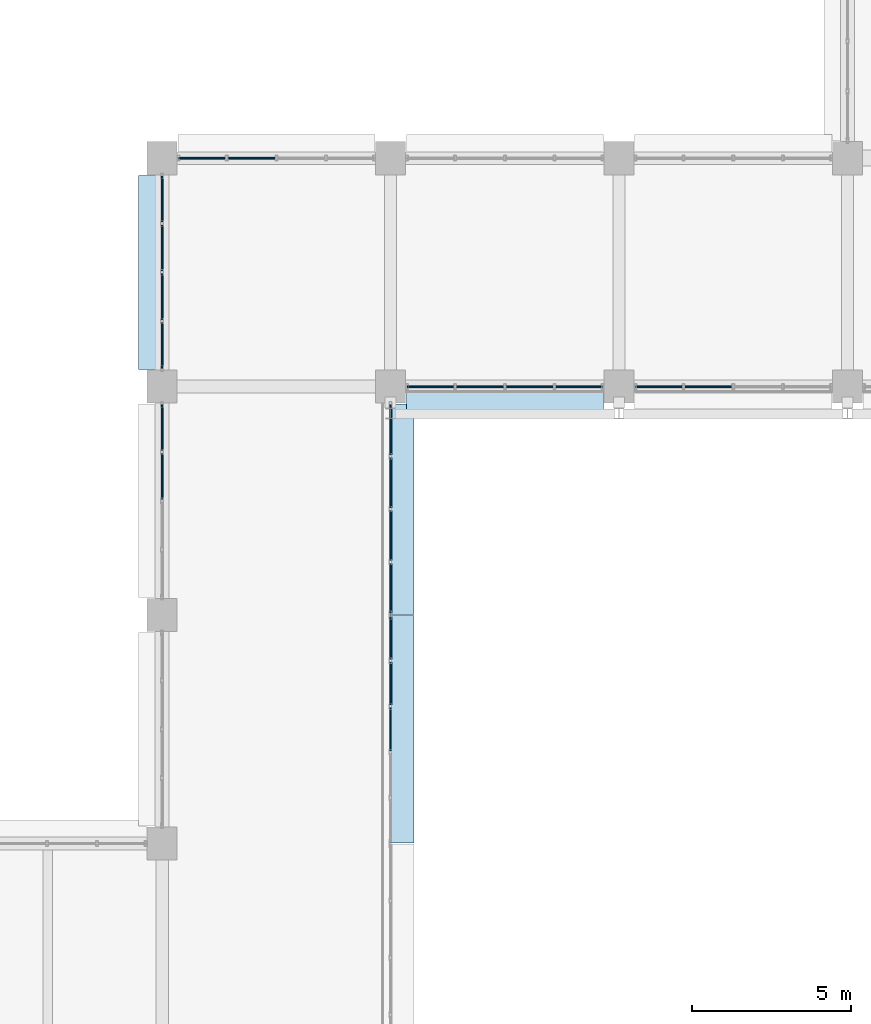
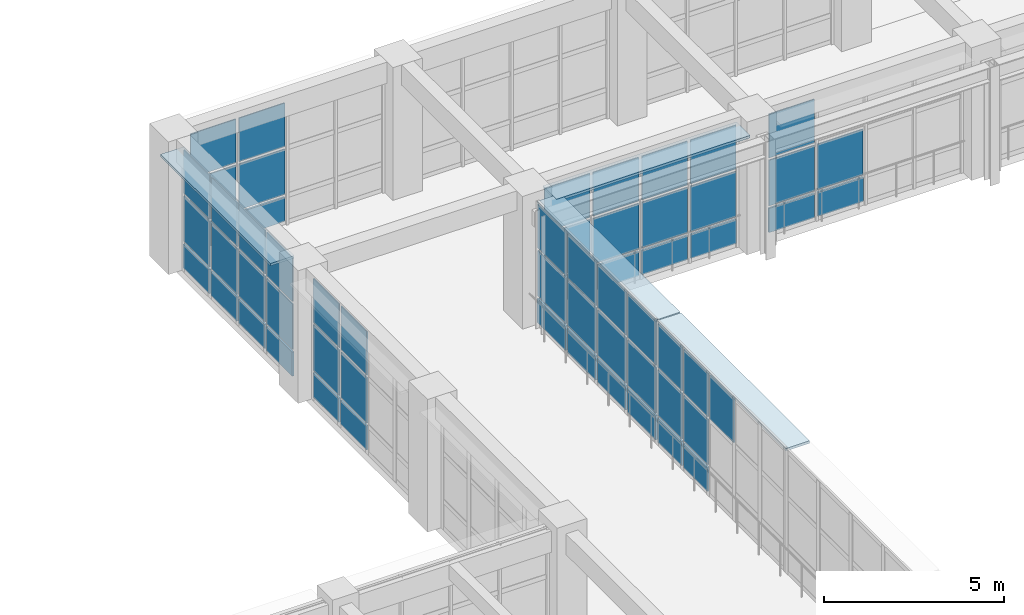
# One storey, part 127 of 171: 64 plates, 7 elements without a shape of their own.
"""IFC4 building model written with IfcOpenShell, lengths in metres."""

from ifc_helpers import new_model, si_unit, direction, frame, origin, origin_2d, place, context, subcontext, project, spatial, rectangle, extrude, material, layer, layer_set, type_object, element, aggregate, save


model = new_model("IFC4")

# Units and contexts
model_context = context("Model", 3, precision=1e-05, world=origin(), true_north=direction((0.0, 1.0)))
body_context = subcontext(model_context, "Body", "Model", "MODEL_VIEW")
ifc_project = project(units=[si_unit("LENGTHUNIT", "METRE"), si_unit("AREAUNIT", "SQUARE_METRE"), si_unit("VOLUMEUNIT", "CUBIC_METRE"), si_unit("PLANEANGLEUNIT", "RADIAN"), si_unit("MASSUNIT", "GRAM", prefix="KILO")], contexts=[model_context])

# Site, building, storey
site_placement = place(None, origin())
site = spatial("IfcSite", under=ifc_project, at=site_placement, CompositionType="ELEMENT")
building_placement = place(site_placement, origin())
building = spatial("IfcBuilding", under=site, at=building_placement, Name="Thalmaran Polytechnic", CompositionType="ELEMENT")
storey_placement = place(building_placement, frame((0.0, 0.0, 5.39990234375)))
storey = spatial("IfcBuildingStorey", under=building, at=storey_placement, Name="L01", CompositionType="ELEMENT", Elevation=5.39990234375)

# Plates
ifc_material_1 = material(Name="Anodised aluminium sun-hood eyebrow", Category="aluminium")
ifc_layer_1 = layer(ifc_material_1, 0.0849609375, Name="Anodised aluminium sun-hood eyebrow")
ifc_layer_set_1 = layer_set([ifc_layer_1], Name="Anodised aluminium sun-hood eyebrow")
plate_type_1 = type_object("IfcPlateType", Name="PT-EB01", PredefinedType="SHEET", material=ifc_layer_set_1)
plate_1_placement = place(storey_placement, frame((118.800048828125, 50.0400390625, 4.107666015625), z_axis=(0.0, 0.0, 1.0), x_axis=(-1.0, 0.0, 0.0)))
element("IfcPlate", 1, at=plate_1_placement, inside=storey, type_object=plate_type_1, Name="Streamline Sun-Hood Eyebrow L01-CW104", PredefinedType="SHEET", context=body_context, shape_type="SweptSolid", body=[
    extrude(rectangle(XDim=6.2099609375, YDim=0.760009765625, at=origin_2d()), origin(), (0.0, 0.0, 1.0), 0.0849609375),
])
plate_2_placement = place(storey_placement, frame((115.56005859375, 46.53759765625, 4.107666015625), z_axis=(0.0, 0.0, 1.0), x_axis=(0.0, -1.0, 0.0)))
element("IfcPlate", 2, at=plate_2_placement, inside=storey, type_object=plate_type_1, Name="Streamline Sun-Hood Eyebrow L01-CW105", PredefinedType="SHEET", context=body_context, shape_type="SweptSolid", body=[
    extrude(rectangle(XDim=6.635009765625, YDim=0.760009765625, at=origin_2d()), origin(), (0.0, 0.0, 1.0), 0.0849609375),
])
plate_3_placement = place(storey_placement, frame((115.56005859375, 39.60009765625, 4.107666015625), z_axis=(0.0, 0.0, 1.0), x_axis=(0.0, -1.0, 0.0)))
element("IfcPlate", 3, at=plate_3_placement, inside=storey, type_object=plate_type_1, Name="Streamline Sun-Hood Eyebrow L01-CW106", PredefinedType="SHEET", context=body_context, shape_type="SweptSolid", body=[
    extrude(rectangle(XDim=7.159912109375, YDim=0.760009765625, at=origin_2d()), origin(), (0.0, 0.0, 1.0), 0.0849609375),
])
plate_4_placement = place(storey_placement, frame((107.639892578125, 54.0, 4.107666015625), z_axis=(0.0, 0.0, 1.0), x_axis=(0.0, 1.0, 0.0)))
element("IfcPlate", 4, at=plate_4_placement, inside=storey, type_object=plate_type_1, Name="Streamline Sun-Hood Eyebrow L01-CW176", PredefinedType="SHEET", context=body_context, shape_type="SweptSolid", body=[
    extrude(rectangle(XDim=6.110107421875, YDim=0.760009765625, at=origin_2d()), origin(), (0.0, 0.0, 1.0), 0.0849609375),
])

# Curtain wall, plates
ifc_material_2 = material(Name="Aluminium 6063-T6", Category="aluminium")
curtain_wall_type = type_object("IfcCurtainWallType", Name="CW-UC02", PredefinedType="USERDEFINED", material=ifc_material_2)
curtain_wall_1_placement = place(storey_placement, origin())
curtain_wall_1 = element("IfcCurtainWall", 5, at=curtain_wall_1_placement, inside=storey, type_object=curtain_wall_type, Name="Curtain Wall CW-L01-105", ObjectType="UNITISED CURTAIN WALL", PredefinedType="USERDEFINED")
ifc_material_3 = material(Name="Solar-control double low-E glass", Category="glass")
ifc_layer_2 = layer(ifc_material_3, 0.035888671875, Name="Solar-control double low-E glass")
ifc_layer_set_2 = layer_set([ifc_layer_2], Name="Solar-control double low-E glass")
plate_type_2 = type_object("IfcPlateType", Name="PT-GL01", PredefinedType="CURTAIN_PANEL", material=ifc_layer_set_2)
plate_5_placement = place(storey_placement, frame((115.199951171875, 49.04052734375, 1.000244140625), z_axis=(0.0, 0.0, 1.0), x_axis=(0.0, -1.0, 0.0)))
plate_5 = element("IfcPlate", 6, at=plate_5_placement, type_object=plate_type_2, Name="CW-L01-105 Vision Panel 1-2", PredefinedType="CURTAIN_PANEL", context=body_context, shape_type="SweptSolid", body=[
    extrude(rectangle(XDim=1.568603515625, YDim=0.035888671875, at=origin_2d()), origin(), (0.0, 0.0, 1.0), 1.544921875),
])
plate_6_placement = place(storey_placement, frame((115.199951171875, 49.04052734375, 2.625), z_axis=(0.0, 0.0, 1.0), x_axis=(0.0, -1.0, 0.0)))
plate_6 = element("IfcPlate", 7, at=plate_6_placement, type_object=plate_type_2, Name="CW-L01-105 Vision Panel 1-3", PredefinedType="CURTAIN_PANEL", context=body_context, shape_type="SweptSolid", body=[
    extrude(rectangle(XDim=1.568603515625, YDim=0.035888671875, at=origin_2d()), origin(), (0.0, 0.0, 1.0), 1.485107421875),
])
plate_7_placement = place(storey_placement, frame((115.199951171875, 47.371826171875, 1.000244140625), z_axis=(0.0, 0.0, 1.0), x_axis=(0.0, -1.0, 0.0)))
plate_7 = element("IfcPlate", 8, at=plate_7_placement, type_object=plate_type_2, Name="CW-L01-105 Vision Panel 2-2", PredefinedType="CURTAIN_PANEL", context=body_context, shape_type="SweptSolid", body=[
    extrude(rectangle(XDim=1.568603515625, YDim=0.035888671875, at=origin_2d()), origin(), (0.0, 0.0, 1.0), 1.544921875),
])
plate_8_placement = place(storey_placement, frame((115.199951171875, 47.371826171875, 2.625), z_axis=(0.0, 0.0, 1.0), x_axis=(0.0, -1.0, 0.0)))
plate_8 = element("IfcPlate", 9, at=plate_8_placement, type_object=plate_type_2, Name="CW-L01-105 Vision Panel 2-3", PredefinedType="CURTAIN_PANEL", context=body_context, shape_type="SweptSolid", body=[
    extrude(rectangle(XDim=1.568603515625, YDim=0.035888671875, at=origin_2d()), origin(), (0.0, 0.0, 1.0), 1.485107421875),
])
plate_9_placement = place(storey_placement, frame((115.199951171875, 45.703125, 1.000244140625), z_axis=(0.0, 0.0, 1.0), x_axis=(0.0, -1.0, 0.0)))
plate_9 = element("IfcPlate", 10, at=plate_9_placement, type_object=plate_type_2, Name="CW-L01-105 Vision Panel 3-2", PredefinedType="CURTAIN_PANEL", context=body_context, shape_type="SweptSolid", body=[
    extrude(rectangle(XDim=1.568603515625, YDim=0.035888671875, at=origin_2d()), origin(), (0.0, 0.0, 1.0), 1.544921875),
])
plate_10_placement = place(storey_placement, frame((115.199951171875, 45.703125, 2.625), z_axis=(0.0, 0.0, 1.0), x_axis=(0.0, -1.0, 0.0)))
plate_10 = element("IfcPlate", 11, at=plate_10_placement, type_object=plate_type_2, Name="CW-L01-105 Vision Panel 3-3", PredefinedType="CURTAIN_PANEL", context=body_context, shape_type="SweptSolid", body=[
    extrude(rectangle(XDim=1.568603515625, YDim=0.035888671875, at=origin_2d()), origin(), (0.0, 0.0, 1.0), 1.485107421875),
])
plate_11_placement = place(storey_placement, frame((115.199951171875, 44.034423828125, 1.000244140625), z_axis=(0.0, 0.0, 1.0), x_axis=(0.0, -1.0, 0.0)))
plate_11 = element("IfcPlate", 12, at=plate_11_placement, type_object=plate_type_2, Name="CW-L01-105 Vision Panel 4-2", PredefinedType="CURTAIN_PANEL", context=body_context, shape_type="SweptSolid", body=[
    extrude(rectangle(XDim=1.568603515625, YDim=0.035888671875, at=origin_2d()), origin(), (0.0, 0.0, 1.0), 1.544921875),
])
plate_12_placement = place(storey_placement, frame((115.199951171875, 44.034423828125, 2.625), z_axis=(0.0, 0.0, 1.0), x_axis=(0.0, -1.0, 0.0)))
plate_12 = element("IfcPlate", 13, at=plate_12_placement, type_object=plate_type_2, Name="CW-L01-105 Vision Panel 4-3", PredefinedType="CURTAIN_PANEL", context=body_context, shape_type="SweptSolid", body=[
    extrude(rectangle(XDim=1.568603515625, YDim=0.035888671875, at=origin_2d()), origin(), (0.0, 0.0, 1.0), 1.485107421875),
])

curtain_wall_2_placement = place(storey_placement, origin())
curtain_wall_2 = element("IfcCurtainWall", 14, at=curtain_wall_2_placement, inside=storey, type_object=curtain_wall_type, Name="Curtain Wall CW-L01-175", ObjectType="UNITISED CURTAIN WALL", PredefinedType="USERDEFINED")
plate_13_placement = place(storey_placement, frame((108.0, 47.56884765625, 1.000244140625), z_axis=(0.0, 0.0, 1.0), x_axis=(0.0, 1.0, 0.0)))
plate_13 = element("IfcPlate", 15, at=plate_13_placement, type_object=plate_type_2, Name="CW-L01-175 Vision Panel 3-2", PredefinedType="CURTAIN_PANEL", context=body_context, shape_type="SweptSolid", body=[
    extrude(rectangle(XDim=1.4375, YDim=0.035888671875, at=origin_2d()), origin(), (0.0, 0.0, 1.0), 1.544921875),
])
plate_14_placement = place(storey_placement, frame((108.0, 47.56884765625, 2.625), z_axis=(0.0, 0.0, 1.0), x_axis=(0.0, 1.0, 0.0)))
plate_14 = element("IfcPlate", 16, at=plate_14_placement, type_object=plate_type_2, Name="CW-L01-175 Vision Panel 3-3", PredefinedType="CURTAIN_PANEL", context=body_context, shape_type="SweptSolid", body=[
    extrude(rectangle(XDim=1.4375, YDim=0.035888671875, at=origin_2d()), origin(), (0.0, 0.0, 1.0), 1.485107421875),
])
plate_15_placement = place(storey_placement, frame((108.0, 49.106201171875, 1.000244140625), z_axis=(0.0, 0.0, 1.0), x_axis=(0.0, 1.0, 0.0)))
plate_15 = element("IfcPlate", 17, at=plate_15_placement, type_object=plate_type_2, Name="CW-L01-175 Vision Panel 4-2", PredefinedType="CURTAIN_PANEL", context=body_context, shape_type="SweptSolid", body=[
    extrude(rectangle(XDim=1.4375, YDim=0.035888671875, at=origin_2d()), origin(), (0.0, 0.0, 1.0), 1.544921875),
])
plate_16_placement = place(storey_placement, frame((108.0, 49.106201171875, 2.625), z_axis=(0.0, 0.0, 1.0), x_axis=(0.0, 1.0, 0.0)))
plate_16 = element("IfcPlate", 18, at=plate_16_placement, type_object=plate_type_2, Name="CW-L01-175 Vision Panel 4-3", PredefinedType="CURTAIN_PANEL", context=body_context, shape_type="SweptSolid", body=[
    extrude(rectangle(XDim=1.4375, YDim=0.035888671875, at=origin_2d()), origin(), (0.0, 0.0, 1.0), 1.485107421875),
])

curtain_wall_3_placement = place(storey_placement, origin())
curtain_wall_3 = element("IfcCurtainWall", 19, at=curtain_wall_3_placement, inside=storey, type_object=curtain_wall_type, Name="Curtain Wall CW-L01-106", ObjectType="UNITISED CURTAIN WALL", PredefinedType="USERDEFINED")
ifc_layer_3 = layer(ifc_material_3, 0.035888671875, Name="Solar-control double low-E glass")
ifc_layer_set_3 = layer_set([ifc_layer_3], Name="Solar-control double low-E glass")
plate_type_3 = type_object("IfcPlateType", Name="PT-GL02", PredefinedType="CURTAIN_PANEL", material=ifc_layer_set_3)
plate_17_placement = place(storey_placement, frame((115.199951171875, 42.47998046875, 1.000244140625), z_axis=(0.0, 0.0, 1.0), x_axis=(0.0, -1.0, 0.0)))
plate_17 = element("IfcPlate", 20, at=plate_17_placement, type_object=plate_type_3, Name="CW-L01-106 Vision Panel 1-2", PredefinedType="CURTAIN_PANEL", context=body_context, shape_type="SweptSolid", body=[
    extrude(rectangle(XDim=1.340087890625, YDim=0.035888671875, at=origin_2d()), origin(), (0.0, 0.0, 1.0), 1.544921875),
])
plate_18_placement = place(storey_placement, frame((115.199951171875, 42.47998046875, 2.625), z_axis=(0.0, 0.0, 1.0), x_axis=(0.0, -1.0, 0.0)))
plate_18 = element("IfcPlate", 21, at=plate_18_placement, type_object=plate_type_3, Name="CW-L01-106 Vision Panel 1-3", PredefinedType="CURTAIN_PANEL", context=body_context, shape_type="SweptSolid", body=[
    extrude(rectangle(XDim=1.340087890625, YDim=0.035888671875, at=origin_2d()), origin(), (0.0, 0.0, 1.0), 1.485107421875),
])
plate_19_placement = place(storey_placement, frame((115.199951171875, 41.0400390625, 1.000244140625), z_axis=(0.0, 0.0, 1.0), x_axis=(0.0, -1.0, 0.0)))
plate_19 = element("IfcPlate", 22, at=plate_19_placement, type_object=plate_type_3, Name="CW-L01-106 Vision Panel 2-2", PredefinedType="CURTAIN_PANEL", context=body_context, shape_type="SweptSolid", body=[
    extrude(rectangle(XDim=1.340087890625, YDim=0.035888671875, at=origin_2d()), origin(), (0.0, 0.0, 1.0), 1.544921875),
])
plate_20_placement = place(storey_placement, frame((115.199951171875, 41.0400390625, 2.625), z_axis=(0.0, 0.0, 1.0), x_axis=(0.0, -1.0, 0.0)))
plate_20 = element("IfcPlate", 23, at=plate_20_placement, type_object=plate_type_3, Name="CW-L01-106 Vision Panel 2-3", PredefinedType="CURTAIN_PANEL", context=body_context, shape_type="SweptSolid", body=[
    extrude(rectangle(XDim=1.340087890625, YDim=0.035888671875, at=origin_2d()), origin(), (0.0, 0.0, 1.0), 1.485107421875),
])
plate_21_placement = place(storey_placement, frame((115.199951171875, 39.60009765625, 2.625), z_axis=(0.0, 0.0, 1.0), x_axis=(0.0, -1.0, 0.0)))
plate_21 = element("IfcPlate", 24, at=plate_21_placement, type_object=plate_type_3, Name="CW-L01-106 Vision Panel 3-3", PredefinedType="CURTAIN_PANEL", context=body_context, shape_type="SweptSolid", body=[
    extrude(rectangle(XDim=1.340087890625, YDim=0.035888671875, at=origin_2d()), origin(), (0.0, 0.0, 1.0), 1.485107421875),
])

curtain_wall_4_placement = place(storey_placement, origin())
curtain_wall_4 = element("IfcCurtainWall", 25, at=curtain_wall_4_placement, inside=storey, type_object=curtain_wall_type, Name="Curtain Wall CW-L01-176", ObjectType="UNITISED CURTAIN WALL", PredefinedType="USERDEFINED")
plate_22_placement = place(storey_placement, frame((108.0, 51.69384765625, 1.000244140625), z_axis=(0.0, 0.0, 1.0), x_axis=(0.0, 1.0, 0.0)))
plate_22 = element("IfcPlate", 26, at=plate_22_placement, type_object=plate_type_3, Name="CW-L01-176 Vision Panel 1-2", PredefinedType="CURTAIN_PANEL", context=body_context, shape_type="SweptSolid", body=[
    extrude(rectangle(XDim=1.4375, YDim=0.035888671875, at=origin_2d()), origin(), (0.0, 0.0, 1.0), 1.544921875),
])
plate_23_placement = place(storey_placement, frame((108.0, 51.69384765625, 2.625), z_axis=(0.0, 0.0, 1.0), x_axis=(0.0, 1.0, 0.0)))
plate_23 = element("IfcPlate", 27, at=plate_23_placement, type_object=plate_type_3, Name="CW-L01-176 Vision Panel 1-3", PredefinedType="CURTAIN_PANEL", context=body_context, shape_type="SweptSolid", body=[
    extrude(rectangle(XDim=1.4375, YDim=0.035888671875, at=origin_2d()), origin(), (0.0, 0.0, 1.0), 1.485107421875),
])
plate_24_placement = place(storey_placement, frame((108.0, 53.231201171875, 1.000244140625), z_axis=(0.0, 0.0, 1.0), x_axis=(0.0, 1.0, 0.0)))
plate_24 = element("IfcPlate", 28, at=plate_24_placement, type_object=plate_type_3, Name="CW-L01-176 Vision Panel 2-2", PredefinedType="CURTAIN_PANEL", context=body_context, shape_type="SweptSolid", body=[
    extrude(rectangle(XDim=1.4375, YDim=0.035888671875, at=origin_2d()), origin(), (0.0, 0.0, 1.0), 1.544921875),
])
plate_25_placement = place(storey_placement, frame((108.0, 53.231201171875, 2.625), z_axis=(0.0, 0.0, 1.0), x_axis=(0.0, 1.0, 0.0)))
plate_25 = element("IfcPlate", 29, at=plate_25_placement, type_object=plate_type_3, Name="CW-L01-176 Vision Panel 2-3", PredefinedType="CURTAIN_PANEL", context=body_context, shape_type="SweptSolid", body=[
    extrude(rectangle(XDim=1.4375, YDim=0.035888671875, at=origin_2d()), origin(), (0.0, 0.0, 1.0), 1.485107421875),
])
plate_26_placement = place(storey_placement, frame((108.0, 54.768798828125, 1.000244140625), z_axis=(0.0, 0.0, 1.0), x_axis=(0.0, 1.0, 0.0)))
plate_26 = element("IfcPlate", 30, at=plate_26_placement, type_object=plate_type_3, Name="CW-L01-176 Vision Panel 3-2", PredefinedType="CURTAIN_PANEL", context=body_context, shape_type="SweptSolid", body=[
    extrude(rectangle(XDim=1.4375, YDim=0.035888671875, at=origin_2d()), origin(), (0.0, 0.0, 1.0), 1.544921875),
])
plate_27_placement = place(storey_placement, frame((108.0, 54.768798828125, 2.625), z_axis=(0.0, 0.0, 1.0), x_axis=(0.0, 1.0, 0.0)))
plate_27 = element("IfcPlate", 31, at=plate_27_placement, type_object=plate_type_3, Name="CW-L01-176 Vision Panel 3-3", PredefinedType="CURTAIN_PANEL", context=body_context, shape_type="SweptSolid", body=[
    extrude(rectangle(XDim=1.4375, YDim=0.035888671875, at=origin_2d()), origin(), (0.0, 0.0, 1.0), 1.485107421875),
])
plate_28_placement = place(storey_placement, frame((108.0, 56.30615234375, 1.000244140625), z_axis=(0.0, 0.0, 1.0), x_axis=(0.0, 1.0, 0.0)))
plate_28 = element("IfcPlate", 32, at=plate_28_placement, type_object=plate_type_3, Name="CW-L01-176 Vision Panel 4-2", PredefinedType="CURTAIN_PANEL", context=body_context, shape_type="SweptSolid", body=[
    extrude(rectangle(XDim=1.4375, YDim=0.035888671875, at=origin_2d()), origin(), (0.0, 0.0, 1.0), 1.544921875),
])
plate_29_placement = place(storey_placement, frame((108.0, 56.30615234375, 2.625), z_axis=(0.0, 0.0, 1.0), x_axis=(0.0, 1.0, 0.0)))
plate_29 = element("IfcPlate", 33, at=plate_29_placement, type_object=plate_type_3, Name="CW-L01-176 Vision Panel 4-3", PredefinedType="CURTAIN_PANEL", context=body_context, shape_type="SweptSolid", body=[
    extrude(rectangle(XDim=1.4375, YDim=0.035888671875, at=origin_2d()), origin(), (0.0, 0.0, 1.0), 1.485107421875),
])

curtain_wall_5_placement = place(storey_placement, origin())
curtain_wall_5 = element("IfcCurtainWall", 34, at=curtain_wall_5_placement, inside=storey, type_object=curtain_wall_type, Name="Curtain Wall CW-L01-177", ObjectType="UNITISED CURTAIN WALL", PredefinedType="USERDEFINED")
ifc_layer_4 = layer(ifc_material_3, 0.035888671875, Name="Solar-control double low-E glass")
ifc_layer_set_4 = layer_set([ifc_layer_4], Name="Solar-control double low-E glass")
plate_type_4 = type_object("IfcPlateType", Name="PT-GL03", PredefinedType="CURTAIN_PANEL", material=ifc_layer_set_4)
plate_30_placement = place(storey_placement, frame((109.25634765625, 57.60009765625, 1.000244140625), z_axis=(0.0, 0.0, 1.0), x_axis=(1.0, 0.0, 0.0)))
plate_30 = element("IfcPlate", 35, at=plate_30_placement, type_object=plate_type_4, Name="CW-L01-177 Vision Panel 1-2", PredefinedType="CURTAIN_PANEL", context=body_context, shape_type="SweptSolid", body=[
    extrude(rectangle(XDim=1.46240234375, YDim=0.035888671875, at=origin_2d()), origin(), (0.0, 0.0, 1.0), 1.544921875),
])
plate_31_placement = place(storey_placement, frame((109.25634765625, 57.60009765625, 2.625), z_axis=(0.0, 0.0, 1.0), x_axis=(1.0, 0.0, 0.0)))
plate_31 = element("IfcPlate", 36, at=plate_31_placement, type_object=plate_type_4, Name="CW-L01-177 Vision Panel 1-3", PredefinedType="CURTAIN_PANEL", context=body_context, shape_type="SweptSolid", body=[
    extrude(rectangle(XDim=1.46240234375, YDim=0.035888671875, at=origin_2d()), origin(), (0.0, 0.0, 1.0), 1.485107421875),
])
plate_32_placement = place(storey_placement, frame((110.81884765625, 57.60009765625, 1.000244140625), z_axis=(0.0, 0.0, 1.0), x_axis=(1.0, 0.0, 0.0)))
plate_32 = element("IfcPlate", 37, at=plate_32_placement, type_object=plate_type_4, Name="CW-L01-177 Vision Panel 2-2", PredefinedType="CURTAIN_PANEL", context=body_context, shape_type="SweptSolid", body=[
    extrude(rectangle(XDim=1.46240234375, YDim=0.035888671875, at=origin_2d()), origin(), (0.0, 0.0, 1.0), 1.544921875),
])
plate_33_placement = place(storey_placement, frame((110.81884765625, 57.60009765625, 2.625), z_axis=(0.0, 0.0, 1.0), x_axis=(1.0, 0.0, 0.0)))
plate_33 = element("IfcPlate", 38, at=plate_33_placement, type_object=plate_type_4, Name="CW-L01-177 Vision Panel 2-3", PredefinedType="CURTAIN_PANEL", context=body_context, shape_type="SweptSolid", body=[
    extrude(rectangle(XDim=1.46240234375, YDim=0.035888671875, at=origin_2d()), origin(), (0.0, 0.0, 1.0), 1.485107421875),
])

curtain_wall_6_placement = place(storey_placement, origin())
curtain_wall_6 = element("IfcCurtainWall", 39, at=curtain_wall_6_placement, inside=storey, type_object=curtain_wall_type, Name="Curtain Wall CW-L01-103", ObjectType="UNITISED CURTAIN WALL", PredefinedType="USERDEFINED")
ifc_layer_5 = layer(ifc_material_3, 0.035888671875, Name="Solar-control double low-E glass")
ifc_layer_set_5 = layer_set([ifc_layer_5], Name="Solar-control double low-E glass")
plate_type_5 = type_object("IfcPlateType", Name="PT-GL04", PredefinedType="CURTAIN_PANEL", material=ifc_layer_set_5)
plate_34_placement = place(storey_placement, frame((125.21875, 50.39990234375, 1.000244140625), z_axis=(0.0, 0.0, 1.0), x_axis=(-1.0, 0.0, 0.0)))
plate_34 = element("IfcPlate", 40, at=plate_34_placement, type_object=plate_type_5, Name="CW-L01-103 Vision Panel 3-2", PredefinedType="CURTAIN_PANEL", context=body_context, shape_type="SweptSolid", body=[
    extrude(rectangle(XDim=1.46240234375, YDim=0.035888671875, at=origin_2d()), origin(), (0.0, 0.0, 1.0), 1.544921875),
])
plate_35_placement = place(storey_placement, frame((123.65625, 50.39990234375, 1.000244140625), z_axis=(0.0, 0.0, 1.0), x_axis=(-1.0, 0.0, 0.0)))
plate_35 = element("IfcPlate", 41, at=plate_35_placement, type_object=plate_type_5, Name="CW-L01-103 Vision Panel 4-2", PredefinedType="CURTAIN_PANEL", context=body_context, shape_type="SweptSolid", body=[
    extrude(rectangle(XDim=1.46240234375, YDim=0.035888671875, at=origin_2d()), origin(), (0.0, 0.0, 1.0), 1.544921875),
])
plate_36_placement = place(storey_placement, frame((123.65625, 50.39990234375, 2.625), z_axis=(0.0, 0.0, 1.0), x_axis=(-1.0, 0.0, 0.0)))
plate_36 = element("IfcPlate", 42, at=plate_36_placement, type_object=plate_type_5, Name="CW-L01-103 Vision Panel 4-3", PredefinedType="CURTAIN_PANEL", context=body_context, shape_type="SweptSolid", body=[
    extrude(rectangle(XDim=1.46240234375, YDim=0.035888671875, at=origin_2d()), origin(), (0.0, 0.0, 1.0), 1.485107421875),
])

curtain_wall_7_placement = place(storey_placement, origin())
curtain_wall_7 = element("IfcCurtainWall", 43, at=curtain_wall_7_placement, inside=storey, type_object=curtain_wall_type, Name="Curtain Wall CW-L01-104", ObjectType="UNITISED CURTAIN WALL", PredefinedType="USERDEFINED")
ifc_layer_6 = layer(ifc_material_3, 0.035888671875, Name="Solar-control double low-E glass")
ifc_layer_set_6 = layer_set([ifc_layer_6], Name="Solar-control double low-E glass")
plate_type_6 = type_object("IfcPlateType", Name="PT-GL05", PredefinedType="CURTAIN_PANEL", material=ifc_layer_set_6)
plate_37_placement = place(storey_placement, frame((121.143798828125, 50.39990234375, 1.000244140625), z_axis=(0.0, 0.0, 1.0), x_axis=(-1.0, 0.0, 0.0)))
plate_37 = element("IfcPlate", 44, at=plate_37_placement, type_object=plate_type_6, Name="CW-L01-104 Vision Panel 1-2", PredefinedType="CURTAIN_PANEL", context=body_context, shape_type="SweptSolid", body=[
    extrude(rectangle(XDim=1.46240234375, YDim=0.035888671875, at=origin_2d()), origin(), (0.0, 0.0, 1.0), 1.544921875),
])
plate_38_placement = place(storey_placement, frame((121.143798828125, 50.39990234375, 2.625), z_axis=(0.0, 0.0, 1.0), x_axis=(-1.0, 0.0, 0.0)))
plate_38 = element("IfcPlate", 45, at=plate_38_placement, type_object=plate_type_6, Name="CW-L01-104 Vision Panel 1-3", PredefinedType="CURTAIN_PANEL", context=body_context, shape_type="SweptSolid", body=[
    extrude(rectangle(XDim=1.46240234375, YDim=0.035888671875, at=origin_2d()), origin(), (0.0, 0.0, 1.0), 1.485107421875),
])
plate_39_placement = place(storey_placement, frame((119.581298828125, 50.39990234375, 1.000244140625), z_axis=(0.0, 0.0, 1.0), x_axis=(-1.0, 0.0, 0.0)))
plate_39 = element("IfcPlate", 46, at=plate_39_placement, type_object=plate_type_6, Name="CW-L01-104 Vision Panel 2-2", PredefinedType="CURTAIN_PANEL", context=body_context, shape_type="SweptSolid", body=[
    extrude(rectangle(XDim=1.46240234375, YDim=0.035888671875, at=origin_2d()), origin(), (0.0, 0.0, 1.0), 1.544921875),
])
plate_40_placement = place(storey_placement, frame((119.581298828125, 50.39990234375, 2.625), z_axis=(0.0, 0.0, 1.0), x_axis=(-1.0, 0.0, 0.0)))
plate_40 = element("IfcPlate", 47, at=plate_40_placement, type_object=plate_type_6, Name="CW-L01-104 Vision Panel 2-3", PredefinedType="CURTAIN_PANEL", context=body_context, shape_type="SweptSolid", body=[
    extrude(rectangle(XDim=1.46240234375, YDim=0.035888671875, at=origin_2d()), origin(), (0.0, 0.0, 1.0), 1.485107421875),
])
plate_41_placement = place(storey_placement, frame((118.018798828125, 50.39990234375, 1.000244140625), z_axis=(0.0, 0.0, 1.0), x_axis=(-1.0, 0.0, 0.0)))
plate_41 = element("IfcPlate", 48, at=plate_41_placement, type_object=plate_type_6, Name="CW-L01-104 Vision Panel 3-2", PredefinedType="CURTAIN_PANEL", context=body_context, shape_type="SweptSolid", body=[
    extrude(rectangle(XDim=1.46240234375, YDim=0.035888671875, at=origin_2d()), origin(), (0.0, 0.0, 1.0), 1.544921875),
])
plate_42_placement = place(storey_placement, frame((118.018798828125, 50.39990234375, 2.625), z_axis=(0.0, 0.0, 1.0), x_axis=(-1.0, 0.0, 0.0)))
plate_42 = element("IfcPlate", 49, at=plate_42_placement, type_object=plate_type_6, Name="CW-L01-104 Vision Panel 3-3", PredefinedType="CURTAIN_PANEL", context=body_context, shape_type="SweptSolid", body=[
    extrude(rectangle(XDim=1.46240234375, YDim=0.035888671875, at=origin_2d()), origin(), (0.0, 0.0, 1.0), 1.485107421875),
])
plate_43_placement = place(storey_placement, frame((116.456298828125, 50.39990234375, 1.000244140625), z_axis=(0.0, 0.0, 1.0), x_axis=(-1.0, 0.0, 0.0)))
plate_43 = element("IfcPlate", 50, at=plate_43_placement, type_object=plate_type_6, Name="CW-L01-104 Vision Panel 4-2", PredefinedType="CURTAIN_PANEL", context=body_context, shape_type="SweptSolid", body=[
    extrude(rectangle(XDim=1.46240234375, YDim=0.035888671875, at=origin_2d()), origin(), (0.0, 0.0, 1.0), 1.544921875),
])
plate_44_placement = place(storey_placement, frame((116.456298828125, 50.39990234375, 2.625), z_axis=(0.0, 0.0, 1.0), x_axis=(-1.0, 0.0, 0.0)))
plate_44 = element("IfcPlate", 51, at=plate_44_placement, type_object=plate_type_6, Name="CW-L01-104 Vision Panel 4-3", PredefinedType="CURTAIN_PANEL", context=body_context, shape_type="SweptSolid", body=[
    extrude(rectangle(XDim=1.46240234375, YDim=0.035888671875, at=origin_2d()), origin(), (0.0, 0.0, 1.0), 1.485107421875),
])

# Plate
ifc_material_4 = material(Name="Insulated anodised aluminium spandrel", Category="aluminium")
ifc_layer_7 = layer(ifc_material_4, 0.06005859375, Name="Insulated anodised aluminium spandrel")
ifc_layer_set_7 = layer_set([ifc_layer_7], Name="Insulated anodised aluminium spandrel")
plate_type_7 = type_object("IfcPlateType", Name="PT-SP01", PredefinedType="CURTAIN_PANEL", material=ifc_layer_set_7)
plate_45_placement = place(storey_placement, frame((115.199951171875, 49.04052734375, 0.10009765625), z_axis=(0.0, 0.0, 1.0), x_axis=(0.0, -1.0, 0.0)))
plate_45 = element("IfcPlate", 52, at=plate_45_placement, type_object=plate_type_7, Name="CW-L01-105 Spandrel Panel 1-1", PredefinedType="CURTAIN_PANEL", context=body_context, shape_type="SweptSolid", body=[
    extrude(rectangle(XDim=1.568603515625, YDim=0.06005859375, at=origin_2d()), origin(), (0.0, 0.0, 1.0), 0.820068359375),
])

plate_46_placement = place(storey_placement, frame((115.199951171875, 47.371826171875, 0.10009765625), z_axis=(0.0, 0.0, 1.0), x_axis=(0.0, -1.0, 0.0)))
plate_46 = element("IfcPlate", 53, at=plate_46_placement, type_object=plate_type_7, Name="CW-L01-105 Spandrel Panel 2-1", PredefinedType="CURTAIN_PANEL", context=body_context, shape_type="SweptSolid", body=[
    extrude(rectangle(XDim=1.568603515625, YDim=0.06005859375, at=origin_2d()), origin(), (0.0, 0.0, 1.0), 0.820068359375),
])

plate_47_placement = place(storey_placement, frame((115.199951171875, 45.703125, 0.10009765625), z_axis=(0.0, 0.0, 1.0), x_axis=(0.0, -1.0, 0.0)))
plate_47 = element("IfcPlate", 54, at=plate_47_placement, type_object=plate_type_7, Name="CW-L01-105 Spandrel Panel 3-1", PredefinedType="CURTAIN_PANEL", context=body_context, shape_type="SweptSolid", body=[
    extrude(rectangle(XDim=1.568603515625, YDim=0.06005859375, at=origin_2d()), origin(), (0.0, 0.0, 1.0), 0.820068359375),
])

plate_48_placement = place(storey_placement, frame((115.199951171875, 44.034423828125, 0.10009765625), z_axis=(0.0, 0.0, 1.0), x_axis=(0.0, -1.0, 0.0)))
plate_48 = element("IfcPlate", 55, at=plate_48_placement, type_object=plate_type_7, Name="CW-L01-105 Spandrel Panel 4-1", PredefinedType="CURTAIN_PANEL", context=body_context, shape_type="SweptSolid", body=[
    extrude(rectangle(XDim=1.568603515625, YDim=0.06005859375, at=origin_2d()), origin(), (0.0, 0.0, 1.0), 0.820068359375),
])

aggregate(curtain_wall_1, [plate_45, plate_5, plate_6, plate_46, plate_7, plate_8, plate_47, plate_9, plate_10, plate_48, plate_11, plate_12])

plate_49_placement = place(storey_placement, frame((109.25634765625, 57.60009765625, 0.10009765625), z_axis=(0.0, 0.0, 1.0), x_axis=(1.0, 0.0, 0.0)))
plate_49 = element("IfcPlate", 56, at=plate_49_placement, type_object=plate_type_7, Name="CW-L01-177 Spandrel Panel 1-1", PredefinedType="CURTAIN_PANEL", context=body_context, shape_type="SweptSolid", body=[
    extrude(rectangle(XDim=1.46240234375, YDim=0.06005859375, at=origin_2d()), origin(), (0.0, 0.0, 1.0), 0.820068359375),
])

plate_50_placement = place(storey_placement, frame((110.81884765625, 57.60009765625, 0.10009765625), z_axis=(0.0, 0.0, 1.0), x_axis=(1.0, 0.0, 0.0)))
plate_50 = element("IfcPlate", 57, at=plate_50_placement, type_object=plate_type_7, Name="CW-L01-177 Spandrel Panel 2-1", PredefinedType="CURTAIN_PANEL", context=body_context, shape_type="SweptSolid", body=[
    extrude(rectangle(XDim=1.46240234375, YDim=0.06005859375, at=origin_2d()), origin(), (0.0, 0.0, 1.0), 0.820068359375),
])

aggregate(curtain_wall_5, [plate_49, plate_30, plate_31, plate_50, plate_32, plate_33])

ifc_layer_8 = layer(ifc_material_4, 0.06005859375, Name="Insulated anodised aluminium spandrel")
ifc_layer_set_8 = layer_set([ifc_layer_8], Name="Insulated anodised aluminium spandrel")
plate_type_8 = type_object("IfcPlateType", Name="PT-SP02", PredefinedType="CURTAIN_PANEL", material=ifc_layer_set_8)
plate_51_placement = place(storey_placement, frame((125.21875, 50.39990234375, 0.10009765625), z_axis=(0.0, 0.0, 1.0), x_axis=(-1.0, 0.0, 0.0)))
plate_51 = element("IfcPlate", 58, at=plate_51_placement, type_object=plate_type_8, Name="CW-L01-103 Spandrel Panel 3-1", PredefinedType="CURTAIN_PANEL", context=body_context, shape_type="SweptSolid", body=[
    extrude(rectangle(XDim=1.46240234375, YDim=0.06005859375, at=origin_2d()), origin(), (0.0, 0.0, 1.0), 0.820068359375),
])

plate_52_placement = place(storey_placement, frame((123.65625, 50.39990234375, 0.10009765625), z_axis=(0.0, 0.0, 1.0), x_axis=(-1.0, 0.0, 0.0)))
plate_52 = element("IfcPlate", 59, at=plate_52_placement, type_object=plate_type_8, Name="CW-L01-103 Spandrel Panel 4-1", PredefinedType="CURTAIN_PANEL", context=body_context, shape_type="SweptSolid", body=[
    extrude(rectangle(XDim=1.46240234375, YDim=0.06005859375, at=origin_2d()), origin(), (0.0, 0.0, 1.0), 0.820068359375),
])

aggregate(curtain_wall_6, [plate_51, plate_34, plate_52, plate_35, plate_36])

plate_53_placement = place(storey_placement, frame((115.199951171875, 42.47998046875, 0.10009765625), z_axis=(0.0, 0.0, 1.0), x_axis=(0.0, -1.0, 0.0)))
plate_53 = element("IfcPlate", 60, at=plate_53_placement, type_object=plate_type_8, Name="CW-L01-106 Spandrel Panel 1-1", PredefinedType="CURTAIN_PANEL", context=body_context, shape_type="SweptSolid", body=[
    extrude(rectangle(XDim=1.340087890625, YDim=0.06005859375, at=origin_2d()), origin(), (0.0, 0.0, 1.0), 0.820068359375),
])

plate_54_placement = place(storey_placement, frame((115.199951171875, 41.0400390625, 0.10009765625), z_axis=(0.0, 0.0, 1.0), x_axis=(0.0, -1.0, 0.0)))
plate_54 = element("IfcPlate", 61, at=plate_54_placement, type_object=plate_type_8, Name="CW-L01-106 Spandrel Panel 2-1", PredefinedType="CURTAIN_PANEL", context=body_context, shape_type="SweptSolid", body=[
    extrude(rectangle(XDim=1.340087890625, YDim=0.06005859375, at=origin_2d()), origin(), (0.0, 0.0, 1.0), 0.820068359375),
])

aggregate(curtain_wall_3, [plate_53, plate_17, plate_18, plate_54, plate_19, plate_20, plate_21])

plate_55_placement = place(storey_placement, frame((108.0, 47.56884765625, 0.10009765625), z_axis=(0.0, 0.0, 1.0), x_axis=(0.0, 1.0, 0.0)))
plate_55 = element("IfcPlate", 62, at=plate_55_placement, type_object=plate_type_8, Name="CW-L01-175 Spandrel Panel 3-1", PredefinedType="CURTAIN_PANEL", context=body_context, shape_type="SweptSolid", body=[
    extrude(rectangle(XDim=1.4375, YDim=0.06005859375, at=origin_2d()), origin(), (0.0, 0.0, 1.0), 0.820068359375),
])

plate_56_placement = place(storey_placement, frame((108.0, 49.106201171875, 0.10009765625), z_axis=(0.0, 0.0, 1.0), x_axis=(0.0, 1.0, 0.0)))
plate_56 = element("IfcPlate", 63, at=plate_56_placement, type_object=plate_type_8, Name="CW-L01-175 Spandrel Panel 4-1", PredefinedType="CURTAIN_PANEL", context=body_context, shape_type="SweptSolid", body=[
    extrude(rectangle(XDim=1.4375, YDim=0.06005859375, at=origin_2d()), origin(), (0.0, 0.0, 1.0), 0.820068359375),
])

aggregate(curtain_wall_2, [plate_55, plate_13, plate_14, plate_56, plate_15, plate_16])

ifc_layer_9 = layer(ifc_material_4, 0.06005859375, Name="Insulated anodised aluminium spandrel")
ifc_layer_set_9 = layer_set([ifc_layer_9], Name="Insulated anodised aluminium spandrel")
plate_type_9 = type_object("IfcPlateType", Name="PT-SP03", PredefinedType="CURTAIN_PANEL", material=ifc_layer_set_9)
plate_57_placement = place(storey_placement, frame((121.143798828125, 50.39990234375, 0.10009765625), z_axis=(0.0, 0.0, 1.0), x_axis=(-1.0, 0.0, 0.0)))
plate_57 = element("IfcPlate", 64, at=plate_57_placement, type_object=plate_type_9, Name="CW-L01-104 Spandrel Panel 1-1", PredefinedType="CURTAIN_PANEL", context=body_context, shape_type="SweptSolid", body=[
    extrude(rectangle(XDim=1.46240234375, YDim=0.06005859375, at=origin_2d()), origin(), (0.0, 0.0, 1.0), 0.820068359375),
])

plate_58_placement = place(storey_placement, frame((119.581298828125, 50.39990234375, 0.10009765625), z_axis=(0.0, 0.0, 1.0), x_axis=(-1.0, 0.0, 0.0)))
plate_58 = element("IfcPlate", 65, at=plate_58_placement, type_object=plate_type_9, Name="CW-L01-104 Spandrel Panel 2-1", PredefinedType="CURTAIN_PANEL", context=body_context, shape_type="SweptSolid", body=[
    extrude(rectangle(XDim=1.46240234375, YDim=0.06005859375, at=origin_2d()), origin(), (0.0, 0.0, 1.0), 0.820068359375),
])

plate_59_placement = place(storey_placement, frame((118.018798828125, 50.39990234375, 0.10009765625), z_axis=(0.0, 0.0, 1.0), x_axis=(-1.0, 0.0, 0.0)))
plate_59 = element("IfcPlate", 66, at=plate_59_placement, type_object=plate_type_9, Name="CW-L01-104 Spandrel Panel 3-1", PredefinedType="CURTAIN_PANEL", context=body_context, shape_type="SweptSolid", body=[
    extrude(rectangle(XDim=1.46240234375, YDim=0.06005859375, at=origin_2d()), origin(), (0.0, 0.0, 1.0), 0.820068359375),
])

plate_60_placement = place(storey_placement, frame((116.456298828125, 50.39990234375, 0.10009765625), z_axis=(0.0, 0.0, 1.0), x_axis=(-1.0, 0.0, 0.0)))
plate_60 = element("IfcPlate", 67, at=plate_60_placement, type_object=plate_type_9, Name="CW-L01-104 Spandrel Panel 4-1", PredefinedType="CURTAIN_PANEL", context=body_context, shape_type="SweptSolid", body=[
    extrude(rectangle(XDim=1.46240234375, YDim=0.06005859375, at=origin_2d()), origin(), (0.0, 0.0, 1.0), 0.820068359375),
])

aggregate(curtain_wall_7, [plate_57, plate_37, plate_38, plate_58, plate_39, plate_40, plate_59, plate_41, plate_42, plate_60, plate_43, plate_44])

plate_61_placement = place(storey_placement, frame((108.0, 51.69384765625, 0.10009765625), z_axis=(0.0, 0.0, 1.0), x_axis=(0.0, 1.0, 0.0)))
plate_61 = element("IfcPlate", 68, at=plate_61_placement, type_object=plate_type_9, Name="CW-L01-176 Spandrel Panel 1-1", PredefinedType="CURTAIN_PANEL", context=body_context, shape_type="SweptSolid", body=[
    extrude(rectangle(XDim=1.4375, YDim=0.06005859375, at=origin_2d()), origin(), (0.0, 0.0, 1.0), 0.820068359375),
])

plate_62_placement = place(storey_placement, frame((108.0, 53.231201171875, 0.10009765625), z_axis=(0.0, 0.0, 1.0), x_axis=(0.0, 1.0, 0.0)))
plate_62 = element("IfcPlate", 69, at=plate_62_placement, type_object=plate_type_9, Name="CW-L01-176 Spandrel Panel 2-1", PredefinedType="CURTAIN_PANEL", context=body_context, shape_type="SweptSolid", body=[
    extrude(rectangle(XDim=1.4375, YDim=0.06005859375, at=origin_2d()), origin(), (0.0, 0.0, 1.0), 0.820068359375),
])

plate_63_placement = place(storey_placement, frame((108.0, 54.768798828125, 0.10009765625), z_axis=(0.0, 0.0, 1.0), x_axis=(0.0, 1.0, 0.0)))
plate_63 = element("IfcPlate", 70, at=plate_63_placement, type_object=plate_type_9, Name="CW-L01-176 Spandrel Panel 3-1", PredefinedType="CURTAIN_PANEL", context=body_context, shape_type="SweptSolid", body=[
    extrude(rectangle(XDim=1.4375, YDim=0.06005859375, at=origin_2d()), origin(), (0.0, 0.0, 1.0), 0.820068359375),
])

plate_64_placement = place(storey_placement, frame((108.0, 56.30615234375, 0.10009765625), z_axis=(0.0, 0.0, 1.0), x_axis=(0.0, 1.0, 0.0)))
plate_64 = element("IfcPlate", 71, at=plate_64_placement, type_object=plate_type_9, Name="CW-L01-176 Spandrel Panel 4-1", PredefinedType="CURTAIN_PANEL", context=body_context, shape_type="SweptSolid", body=[
    extrude(rectangle(XDim=1.4375, YDim=0.06005859375, at=origin_2d()), origin(), (0.0, 0.0, 1.0), 0.820068359375),
])

aggregate(curtain_wall_4, [plate_61, plate_22, plate_23, plate_62, plate_24, plate_25, plate_63, plate_26, plate_27, plate_64, plate_28, plate_29])

save(model, "model.ifc")
